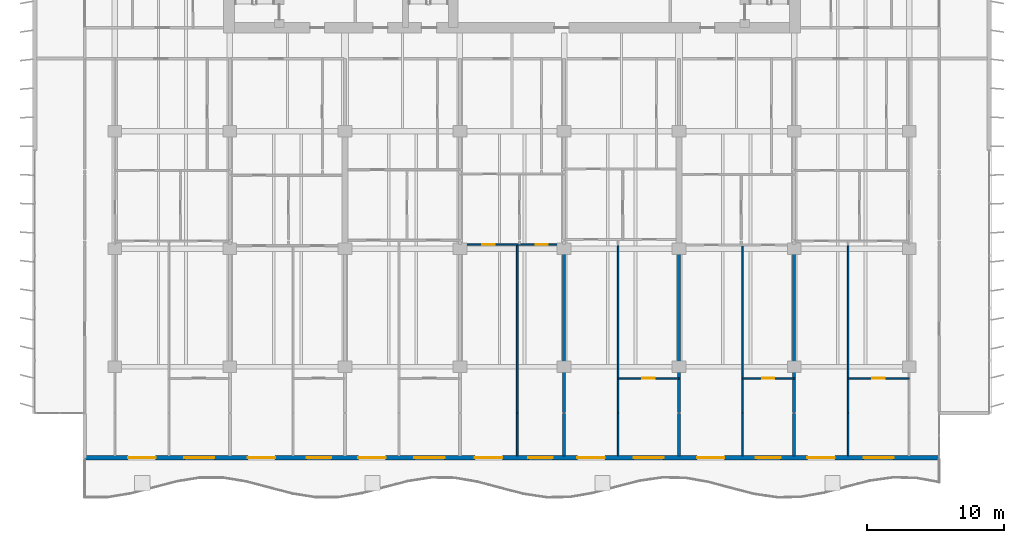
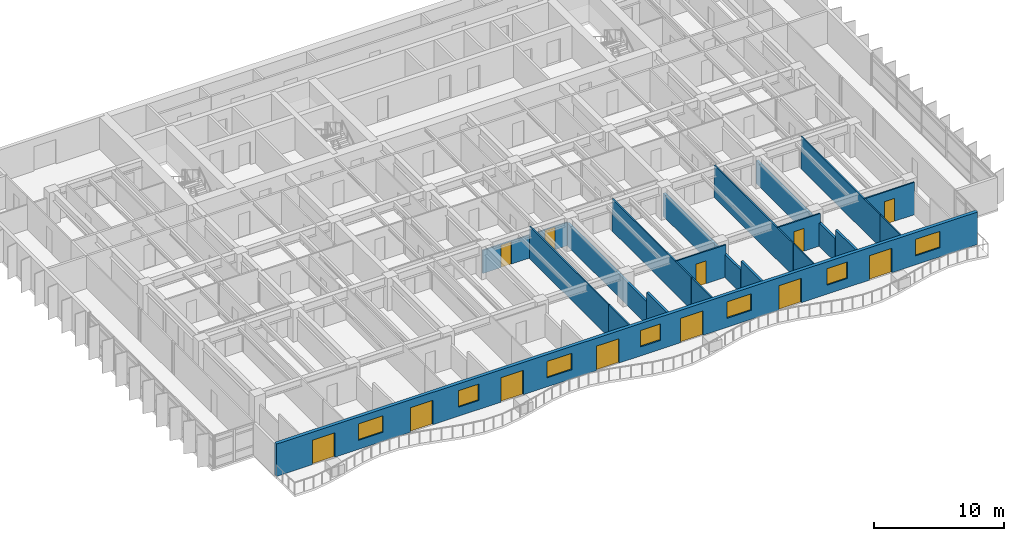
# One storey, part 8 of 18: 19 walls, 12 doors, 7 windows, 19 openings.
"""IFC4 building model written with IfcOpenShell, lengths in metres."""

import ifcopenshell
import ifcopenshell.guid

model = None  # the IFC model being written
_history = None  # IfcOwnerHistory: only IFC2X3 demands one
_inside = {}  # id of a spatial element -> (the spatial element, [elements in it])
_under = {}  # id of a project, library or spatial element -> (it, [spatial elements below it])
_declared = {}  # id of a project -> (the project, [libraries it declares])
_typed = {}  # id of a type object -> (the type object, [elements of that type])
_made_of = {}  # id of a material, layer set ... -> (it, [elements and type objects made of it])


def new_model(schema):
    """Start an empty IFC model of exactly this schema.

    Asked for "IFC4X3", IfcOpenShell would pick the latest addendum, in which some entities
    have other attributes; the version numbers below select the first issue.
    IFC2X3 requires an IfcOwnerHistory on every rooted entity: one is made here for all.
    """
    global model, _history
    if schema == "IFC4X3":
        model = ifcopenshell.file(schema_version=(4, 3, 0, 0))
    else:
        model = ifcopenshell.file(schema=schema)
    _inside.clear()
    _under.clear()
    _declared.clear()
    _typed.clear()
    _made_of.clear()
    _history = None
    if model.schema == "IFC2X3":
        org = make("IfcOrganization", Name="unknown")
        user = make(
            "IfcPersonAndOrganization",
            ThePerson=make("IfcPerson", FamilyName="unknown"),
            TheOrganization=org,
        )
        app = make(
            "IfcApplication",
            ApplicationDeveloper=org,
            Version="unknown",
            ApplicationFullName="unknown",
            ApplicationIdentifier="unknown",
        )
        _history = make(
            "IfcOwnerHistory",
            OwningUser=user,
            OwningApplication=app,
            ChangeAction="ADDED",
            CreationDate=0,
        )
    return model


def make(cls, **values):
    """One entity of the class cls with the attributes given. An attribute that is None is left unset."""
    return model.create_entity(
        cls, **{name: value for name, value in values.items() if value is not None}
    )


def rooted(cls, **values):
    """An entity with a GlobalId (a new one), such as an element, a storey or a relation."""
    return make(cls, GlobalId=ifcopenshell.guid.new(), OwnerHistory=_history, **values)


def si_unit(unit_type, name, prefix=None):
    """IfcSIUnit, for example si_unit("LENGTHUNIT", "METRE", prefix="MILLI")."""
    return make("IfcSIUnit", UnitType=unit_type, Prefix=prefix, Name=name)


def assignment(units):
    """IfcUnitAssignment: the units of a project."""
    return None if units is None else make("IfcUnitAssignment", Units=units)


def point(xyz):
    """IfcCartesianPoint."""
    return None if xyz is None else make("IfcCartesianPoint", Coordinates=xyz)


def direction(xyz):
    """IfcDirection."""
    return None if xyz is None else make("IfcDirection", DirectionRatios=xyz)


def frame(location, z_axis=None, x_axis=None):
    """IfcAxis2Placement3D, a coordinate frame: its origin and axes. An axis left out is left unset."""
    return make(
        "IfcAxis2Placement3D",
        Location=point(location),
        Axis=direction(z_axis),
        RefDirection=direction(x_axis),
    )


def frame_2d(location, x_axis=None):
    """IfcAxis2Placement2D, a coordinate frame in the plane: its origin and x axis."""
    return make(
        "IfcAxis2Placement2D", Location=point(location), RefDirection=direction(x_axis)
    )


def origin():
    """The frame at (0, 0, 0) with its axes left unset."""
    return frame((0.0, 0.0, 0.0))


def place(relative_to, where):
    """IfcLocalPlacement: puts the frame where relative to a parent placement (None: the world)."""
    return make(
        "IfcLocalPlacement", PlacementRelTo=relative_to, RelativePlacement=where
    )


def context(
    kind, dimensions, precision=None, world=None, true_north=None, identifier=None
):
    """IfcGeometricRepresentationContext, for example the 3D "Model" context."""
    return make(
        "IfcGeometricRepresentationContext",
        ContextIdentifier=identifier,
        ContextType=kind,
        CoordinateSpaceDimension=dimensions,
        Precision=precision,
        WorldCoordinateSystem=world,
        TrueNorth=true_north,
    )


def subcontext(parent, identifier, kind, view, scale=None):
    """IfcGeometricRepresentationSubContext, for example "Body" below "Model"."""
    return make(
        "IfcGeometricRepresentationSubContext",
        ContextIdentifier=identifier,
        ContextType=kind,
        ParentContext=parent,
        TargetScale=scale,
        TargetView=view,
    )


def project(units=None, contexts=None):
    """IfcProject with its units and contexts."""
    return rooted(
        "IfcProject",
        Name="project",
        RepresentationContexts=contexts,
        UnitsInContext=assignment(units),
    )


def spatial(cls, under=None, at=None, **own):
    """A site, building, storey or space (cls), placed at a placement, below another one or the project."""
    s = rooted(cls, ObjectPlacement=at, **own)
    if under is not None:
        _under.setdefault(under.id(), (under, []))[1].append(s)
    return s


def profile(cls, at=None, kind="AREA", **sizes):
    """A parametric profile (cls). Its sizes go by their IFC names, for example OverallWidth=200.0."""
    return make(cls, ProfileType=kind, Position=at, **sizes)


def rectangle(**sizes):
    """IfcRectangleProfileDef."""
    return profile("IfcRectangleProfileDef", **sizes)


def extrude(swept, where, along, depth):
    """IfcExtrudedAreaSolid: the profile swept, set in the frame where, extruded along a direction by depth."""
    return make(
        "IfcExtrudedAreaSolid",
        SweptArea=swept,
        Position=where,
        ExtrudedDirection=direction(along),
        Depth=depth,
    )


def shape(context_of_items, identifier, shape_type, items):
    """IfcShapeRepresentation: the items that make up one representation, for example the "Body"."""
    return make(
        "IfcShapeRepresentation",
        ContextOfItems=context_of_items,
        RepresentationIdentifier=identifier,
        RepresentationType=shape_type,
        Items=items,
    )


def material(Name=None, Category=None):
    """IfcMaterial."""
    return make("IfcMaterial", Name=Name, Category=Category)


def layer(
    of_material, thickness, ventilated=None, Name=None, Category=None, Priority=None
):
    """IfcMaterialLayer: one layer of a wall or slab, of a material (None: an air gap)."""
    return make(
        "IfcMaterialLayer",
        Material=of_material,
        LayerThickness=thickness,
        IsVentilated=ventilated,
        Name=Name,
        Category=Category,
        Priority=Priority,
    )


def layer_set(layers, Name=None):
    """IfcMaterialLayerSet."""
    return make("IfcMaterialLayerSet", MaterialLayers=layers, LayerSetName=Name)


def made_of(thing, what):
    """Note that an element or type object is made of a material, layer set ...; save() writes the relation."""
    if what is not None:
        _made_of.setdefault(what.id(), (what, []))[1].append(thing)
    return thing


def type_object(cls, material=None, **own):
    """A type object (cls), such as IfcWallType, which elements share."""
    return made_of(rooted(cls, **own), material)


def element(
    cls,
    number,
    at=None,
    inside=None,
    cuts=None,
    type_object=None,
    material=None,
    context=None,
    identifier="Body",
    shape_type=None,
    held_by="IfcProductDefinitionShape",
    body=None,
    shapes=None,
    **own,
):
    """One element of the class cls, such as IfcWall. Its Tag is "e" and its number.

    at: its placement. inside: the storey or other place that contains it. cuts: it is an
    opening in that element (IfcRelVoidsElement). A single representation is given by context,
    identifier, shape_type and body (its items); several are given by shapes. held_by: the class
    of the entity that holds the representations. save() writes the other relations.
    """
    e = rooted(cls, Tag="e%d" % number, ObjectPlacement=at, **own)
    if body is not None:
        shapes = [shape(context, identifier, shape_type, body)]
    if shapes is not None:
        e.Representation = make(held_by, Representations=shapes)
    if inside is not None:
        _inside.setdefault(inside.id(), (inside, []))[1].append(e)
    if cuts is not None:
        rooted(
            "IfcRelVoidsElement", RelatingBuildingElement=cuts, RelatedOpeningElement=e
        )
    if type_object is not None:
        _typed.setdefault(type_object.id(), (type_object, []))[1].append(e)
    return made_of(e, material)


def fill(opening, filler):
    """IfcRelFillsElement: the door or window that sits in an opening."""
    return rooted(
        "IfcRelFillsElement",
        RelatingOpeningElement=opening,
        RelatedBuildingElement=filler,
    )


def aggregate(whole, parts):
    """IfcRelAggregates: a whole, such as a stair, and the parts it consists of."""
    return rooted("IfcRelAggregates", RelatingObject=whole, RelatedObjects=parts)


def save(model, path):
    """Write the relations noted so far, then the file.

    IfcRelAggregates (storeys below a building ...), IfcRelContainedInSpatialStructure (elements
    in a storey), IfcRelDefinesByType, IfcRelAssociatesMaterial and IfcRelDeclares: one each for
    every whole, place, type object, material and project.
    """
    for whole, parts in _under.values():
        aggregate(whole, parts)
    for where, things in _inside.values():
        rooted(
            "IfcRelContainedInSpatialStructure",
            RelatedElements=things,
            RelatingStructure=where,
        )
    for kind, things in _typed.values():
        rooted("IfcRelDefinesByType", RelatedObjects=things, RelatingType=kind)
    for what, things in _made_of.values():
        rooted("IfcRelAssociatesMaterial", RelatedObjects=things, RelatingMaterial=what)
    for by, libraries in _declared.values():
        rooted("IfcRelDeclares", RelatingContext=by, RelatedDefinitions=libraries)
    model.write(path)


model = new_model("IFC4")

# Units and contexts
model_context = context("Model", 3, precision=1e-05, world=origin(), true_north=direction((0.0, 1.0)))
body_context = subcontext(model_context, "Body", "Model", "MODEL_VIEW")
ifc_project = project(units=[si_unit("LENGTHUNIT", "METRE"), si_unit("AREAUNIT", "SQUARE_METRE"), si_unit("VOLUMEUNIT", "CUBIC_METRE"), si_unit("PLANEANGLEUNIT", "RADIAN"), si_unit("MASSUNIT", "GRAM", prefix="KILO")], contexts=[model_context])

# Site, building, storey
site_placement = place(None, origin())
site = spatial("IfcSite", under=ifc_project, at=site_placement, CompositionType="ELEMENT")
building_placement = place(site_placement, origin())
building = spatial("IfcBuilding", under=site, at=building_placement, Name="Caelmar Bay Residences", CompositionType="ELEMENT")
storey_placement = place(building_placement, frame((0.0, 0.0, 129.0)))
storey = spatial("IfcBuildingStorey", under=building, at=storey_placement, Name="L35", CompositionType="ELEMENT", Elevation=129.0)

# Wall, openings, doors, windows
ifc_material_1 = material(Name="Precast concrete f'c 40 MPa (6,000 psi)", Category="concrete")
ifc_layer_1 = layer(ifc_material_1, 0.300048828125)
ifc_layer_set_1 = layer_set([ifc_layer_1], Name="Precast concrete f'c 40 MPa (6,000 psi)")
wall_type_1 = type_object("IfcWallType", Name="W-EXT-300", PredefinedType="STANDARD", material=ifc_layer_set_1)
wall_1_placement = place(storey_placement, frame((70.10009765625, 5.550048828125, 0.0), z_axis=(0.0, 0.0, 1.0), x_axis=(-1.0, 0.0, 0.0)))
wall_1 = element("IfcWall", 1, at=wall_1_placement, inside=storey, type_object=wall_type_1, Name="L35 South Bayfront Exterior Wall", PredefinedType="STANDARD", context=body_context, shape_type="SweptSolid", body=[
    extrude(rectangle(XDim=62.400146484375, YDim=0.300048828125, at=frame_2d((31.2001953125, 0.0))), origin(), (0.0, 0.0, 1.0), 3.050048828125),
])
opening_1_placement = place(wall_1_placement, frame((57.22607421875, 0.0, 0.0)))
opening_1 = element("IfcOpeningElement", 2, at=opening_1_placement, cuts=wall_1, Name="Opening L35-BD01", PredefinedType="OPENING", context=body_context, shape_type="SweptSolid", body=[
    extrude(rectangle(XDim=2.0, YDim=2.300048828125, at=frame_2d((1.0, 1.14990234375))), frame((0.0, 0.159912109375, 0.0), z_axis=(0.0, -1.0, 0.0), x_axis=(1.0, 0.0, 0.0)), (0.0, 0.0, 1.0), 0.320068359375),
])
opening_2_placement = place(wall_1_placement, frame((52.926025390625, 0.0, 0.85009765625)))
opening_2 = element("IfcOpeningElement", 3, at=opening_2_placement, cuts=wall_1, Name="Opening WN2", PredefinedType="OPENING", context=body_context, shape_type="SweptSolid", body=[
    extrude(rectangle(XDim=2.199951171875, YDim=1.550048828125, at=frame_2d((1.10009765625, 0.77490234375))), frame((0.0, 0.159912109375, 0.0), z_axis=(0.0, -1.0, 0.0), x_axis=(1.0, 0.0, 0.0)), (0.0, 0.0, 1.0), 0.320068359375),
])
opening_3_placement = place(wall_1_placement, frame((48.489990234375, 0.0, 0.0)))
opening_3 = element("IfcOpeningElement", 4, at=opening_3_placement, cuts=wall_1, Name="Opening L35-BD02", PredefinedType="OPENING", context=body_context, shape_type="SweptSolid", body=[
    extrude(rectangle(XDim=2.0, YDim=2.300048828125, at=frame_2d((1.0, 1.14990234375))), frame((0.0, 0.159912109375, 0.0), z_axis=(0.0, -1.0, 0.0), x_axis=(1.0, 0.0, 0.0)), (0.0, 0.0, 1.0), 0.320068359375),
])
opening_4_placement = place(wall_1_placement, frame((44.389892578125, 0.0, 0.85009765625)))
opening_4 = element("IfcOpeningElement", 5, at=opening_4_placement, cuts=wall_1, Name="Opening WN1", PredefinedType="OPENING", context=body_context, shape_type="SweptSolid", body=[
    extrude(rectangle(XDim=1.800048828125, YDim=1.550048828125, at=frame_2d((0.89990234375, 0.77490234375))), frame((0.0, 0.159912109375, 0.0), z_axis=(0.0, -1.0, 0.0), x_axis=(1.0, 0.0, 0.0)), (0.0, 0.0, 1.0), 0.320068359375),
])
opening_5_placement = place(wall_1_placement, frame((40.426025390625, 0.0, 0.0)))
opening_5 = element("IfcOpeningElement", 6, at=opening_5_placement, cuts=wall_1, Name="Opening L35-BD03", PredefinedType="OPENING", context=body_context, shape_type="SweptSolid", body=[
    extrude(rectangle(XDim=2.0, YDim=2.300048828125, at=frame_2d((1.0, 1.14990234375))), frame((0.0, 0.159912109375, 0.0), z_axis=(0.0, -1.0, 0.0), x_axis=(1.0, 0.0, 0.0)), (0.0, 0.0, 1.0), 0.320068359375),
])
opening_6_placement = place(wall_1_placement, frame((36.1259765625, 0.0, 0.85009765625)))
opening_6 = element("IfcOpeningElement", 7, at=opening_6_placement, cuts=wall_1, Name="Opening WN2", PredefinedType="OPENING", context=body_context, shape_type="SweptSolid", body=[
    extrude(rectangle(XDim=2.199951171875, YDim=1.550048828125, at=frame_2d((1.10009765625, 0.77490234375))), frame((0.0, 0.159912109375, 0.0), z_axis=(0.0, -1.0, 0.0), x_axis=(1.0, 0.0, 0.0)), (0.0, 0.0, 1.0), 0.320068359375),
])
opening_7_placement = place(wall_1_placement, frame((31.909912109375, 0.0, 0.0)))
opening_7 = element("IfcOpeningElement", 8, at=opening_7_placement, cuts=wall_1, Name="Opening L35-BD04", PredefinedType="OPENING", context=body_context, shape_type="SweptSolid", body=[
    extrude(rectangle(XDim=2.0, YDim=2.300048828125, at=frame_2d((1.0, 1.14990234375))), frame((0.0, 0.159912109375, 0.0), z_axis=(0.0, -1.0, 0.0), x_axis=(1.0, 0.0, 0.0)), (0.0, 0.0, 1.0), 0.320068359375),
])
opening_8_placement = place(wall_1_placement, frame((28.2099609375, 0.0, 0.85009765625)))
opening_8 = element("IfcOpeningElement", 9, at=opening_8_placement, cuts=wall_1, Name="Opening WN1", PredefinedType="OPENING", context=body_context, shape_type="SweptSolid", body=[
    extrude(rectangle(XDim=1.800048828125, YDim=1.550048828125, at=frame_2d((0.89990234375, 0.77490234375))), frame((0.0, 0.159912109375, 0.0), z_axis=(0.0, -1.0, 0.0), x_axis=(1.0, 0.0, 0.0)), (0.0, 0.0, 1.0), 0.320068359375),
])
opening_9_placement = place(wall_1_placement, frame((24.426025390625, 0.0, 0.0)))
opening_9 = element("IfcOpeningElement", 10, at=opening_9_placement, cuts=wall_1, Name="Opening L35-BD05", PredefinedType="OPENING", context=body_context, shape_type="SweptSolid", body=[
    extrude(rectangle(XDim=2.0, YDim=2.300048828125, at=frame_2d((1.0, 1.14990234375))), frame((0.0, 0.159912109375, 0.0), z_axis=(0.0, -1.0, 0.0), x_axis=(1.0, 0.0, 0.0)), (0.0, 0.0, 1.0), 0.320068359375),
])
opening_10_placement = place(wall_1_placement, frame((20.1259765625, 0.0, 0.85009765625)))
opening_10 = element("IfcOpeningElement", 11, at=opening_10_placement, cuts=wall_1, Name="Opening WN2", PredefinedType="OPENING", context=body_context, shape_type="SweptSolid", body=[
    extrude(rectangle(XDim=2.199951171875, YDim=1.550048828125, at=frame_2d((1.10009765625, 0.77490234375))), frame((0.0, 0.159912109375, 0.0), z_axis=(0.0, -1.0, 0.0), x_axis=(1.0, 0.0, 0.0)), (0.0, 0.0, 1.0), 0.320068359375),
])
opening_11_placement = place(wall_1_placement, frame((15.68994140625, 0.0, 0.0)))
opening_11 = element("IfcOpeningElement", 12, at=opening_11_placement, cuts=wall_1, Name="Opening L35-BD06", PredefinedType="OPENING", context=body_context, shape_type="SweptSolid", body=[
    extrude(rectangle(XDim=2.0, YDim=2.300048828125, at=frame_2d((1.0, 1.14990234375))), frame((0.0, 0.159912109375, 0.0), z_axis=(0.0, -1.0, 0.0), x_axis=(1.0, 0.0, 0.0)), (0.0, 0.0, 1.0), 0.320068359375),
])
opening_12_placement = place(wall_1_placement, frame((11.590087890625, 0.0, 0.85009765625)))
opening_12 = element("IfcOpeningElement", 13, at=opening_12_placement, cuts=wall_1, Name="Opening WN1", PredefinedType="OPENING", context=body_context, shape_type="SweptSolid", body=[
    extrude(rectangle(XDim=1.800048828125, YDim=1.550048828125, at=frame_2d((0.89990234375, 0.77490234375))), frame((0.0, 0.159912109375, 0.0), z_axis=(0.0, -1.0, 0.0), x_axis=(1.0, 0.0, 0.0)), (0.0, 0.0, 1.0), 0.320068359375),
])
opening_13_placement = place(wall_1_placement, frame((7.6259765625, 0.0, 0.0)))
opening_13 = element("IfcOpeningElement", 14, at=opening_13_placement, cuts=wall_1, Name="Opening L35-BD07", PredefinedType="OPENING", context=body_context, shape_type="SweptSolid", body=[
    extrude(rectangle(XDim=2.0, YDim=2.300048828125, at=frame_2d((1.0, 1.14990234375))), frame((0.0, 0.159912109375, 0.0), z_axis=(0.0, -1.0, 0.0), x_axis=(1.0, 0.0, 0.0)), (0.0, 0.0, 1.0), 0.320068359375),
])
opening_14_placement = place(wall_1_placement, frame((3.325927734375, 0.0, 0.85009765625)))
opening_14 = element("IfcOpeningElement", 15, at=opening_14_placement, cuts=wall_1, Name="Opening WN2", PredefinedType="OPENING", context=body_context, shape_type="SweptSolid", body=[
    extrude(rectangle(XDim=2.199951171875, YDim=1.550048828125, at=frame_2d((1.10009765625, 0.77490234375))), frame((0.0, 0.159912109375, 0.0), z_axis=(0.0, -1.0, 0.0), x_axis=(1.0, 0.0, 0.0)), (0.0, 0.0, 1.0), 0.320068359375),
])
ifc_material_2 = material(Name="Anodised bronze thermally broken sliding glass door", Category="glass")
ifc_layer_2 = layer(ifc_material_2, 0.050048828125)
ifc_layer_set_2 = layer_set([ifc_layer_2], Name="Anodised bronze thermally broken sliding glass door")
door_type_1 = type_object("IfcDoorType", Name="D-BAL-2000", OperationType="DOUBLE_DOOR_SLIDING", PredefinedType="DOOR", material=ifc_layer_set_2)
door_1_placement = place(opening_1_placement, origin())
door_1 = element("IfcDoor", 16, at=door_1_placement, inside=storey, type_object=door_type_1, Name="L35 Residence 01 Living Room Balcony Door", OperationType="DOUBLE_DOOR_SLIDING", OverallHeight=2.300048828125, OverallWidth=2.0, PredefinedType="DOOR", context=body_context, shape_type="SweptSolid", body=[
    extrude(rectangle(XDim=2.0, YDim=2.300048828125, at=frame_2d((1.0, 1.14990234375))), frame((0.0, 0.02490234375, 0.0), z_axis=(0.0, -1.0, 0.0), x_axis=(1.0, 0.0, 0.0)), (0.0, 0.0, 1.0), 0.050048828125),
])
fill(opening_1, door_1)
door_2_placement = place(opening_3_placement, origin())
door_2 = element("IfcDoor", 17, at=door_2_placement, inside=storey, type_object=door_type_1, Name="L35 Residence 02 Living Room Balcony Door", OperationType="DOUBLE_DOOR_SLIDING", OverallHeight=2.300048828125, OverallWidth=2.0, PredefinedType="DOOR", context=body_context, shape_type="SweptSolid", body=[
    extrude(rectangle(XDim=2.0, YDim=2.300048828125, at=frame_2d((1.0, 1.14990234375))), frame((0.0, 0.02490234375, 0.0), z_axis=(0.0, -1.0, 0.0), x_axis=(1.0, 0.0, 0.0)), (0.0, 0.0, 1.0), 0.050048828125),
])
fill(opening_3, door_2)
door_3_placement = place(opening_5_placement, origin())
door_3 = element("IfcDoor", 18, at=door_3_placement, inside=storey, type_object=door_type_1, Name="L35 Residence 03 Living Room Balcony Door", OperationType="DOUBLE_DOOR_SLIDING", OverallHeight=2.300048828125, OverallWidth=2.0, PredefinedType="DOOR", context=body_context, shape_type="SweptSolid", body=[
    extrude(rectangle(XDim=2.0, YDim=2.300048828125, at=frame_2d((1.0, 1.14990234375))), frame((0.0, 0.02490234375, 0.0), z_axis=(0.0, -1.0, 0.0), x_axis=(1.0, 0.0, 0.0)), (0.0, 0.0, 1.0), 0.050048828125),
])
fill(opening_5, door_3)
door_4_placement = place(opening_7_placement, origin())
door_4 = element("IfcDoor", 19, at=door_4_placement, inside=storey, type_object=door_type_1, Name="L35 Residence 04 Living Room Balcony Door", OperationType="DOUBLE_DOOR_SLIDING", OverallHeight=2.300048828125, OverallWidth=2.0, PredefinedType="DOOR", context=body_context, shape_type="SweptSolid", body=[
    extrude(rectangle(XDim=2.0, YDim=2.300048828125, at=frame_2d((1.0, 1.14990234375))), frame((0.0, 0.02490234375, 0.0), z_axis=(0.0, -1.0, 0.0), x_axis=(1.0, 0.0, 0.0)), (0.0, 0.0, 1.0), 0.050048828125),
])
fill(opening_7, door_4)
door_5_placement = place(opening_9_placement, origin())
door_5 = element("IfcDoor", 20, at=door_5_placement, inside=storey, type_object=door_type_1, Name="L35 Residence 05 Living Room Balcony Door", OperationType="DOUBLE_DOOR_SLIDING", OverallHeight=2.300048828125, OverallWidth=2.0, PredefinedType="DOOR", context=body_context, shape_type="SweptSolid", body=[
    extrude(rectangle(XDim=2.0, YDim=2.300048828125, at=frame_2d((1.0, 1.14990234375))), frame((0.0, 0.02490234375, 0.0), z_axis=(0.0, -1.0, 0.0), x_axis=(1.0, 0.0, 0.0)), (0.0, 0.0, 1.0), 0.050048828125),
])
fill(opening_9, door_5)
door_6_placement = place(opening_11_placement, origin())
door_6 = element("IfcDoor", 21, at=door_6_placement, inside=storey, type_object=door_type_1, Name="L35 Residence 06 Living Room Balcony Door", OperationType="DOUBLE_DOOR_SLIDING", OverallHeight=2.300048828125, OverallWidth=2.0, PredefinedType="DOOR", context=body_context, shape_type="SweptSolid", body=[
    extrude(rectangle(XDim=2.0, YDim=2.300048828125, at=frame_2d((1.0, 1.14990234375))), frame((0.0, 0.02490234375, 0.0), z_axis=(0.0, -1.0, 0.0), x_axis=(1.0, 0.0, 0.0)), (0.0, 0.0, 1.0), 0.050048828125),
])
fill(opening_11, door_6)
door_7_placement = place(opening_13_placement, origin())
door_7 = element("IfcDoor", 22, at=door_7_placement, inside=storey, type_object=door_type_1, Name="L35 Residence 07 Living Room Balcony Door", OperationType="DOUBLE_DOOR_SLIDING", OverallHeight=2.300048828125, OverallWidth=2.0, PredefinedType="DOOR", context=body_context, shape_type="SweptSolid", body=[
    extrude(rectangle(XDim=2.0, YDim=2.300048828125, at=frame_2d((1.0, 1.14990234375))), frame((0.0, 0.02490234375, 0.0), z_axis=(0.0, -1.0, 0.0), x_axis=(1.0, 0.0, 0.0)), (0.0, 0.0, 1.0), 0.050048828125),
])
fill(opening_13, door_7)
ifc_material_3 = material(Name="Bronze aluminium frame with laminated low-E glass", Category="aluminium")
ifc_layer_3 = layer(ifc_material_3, 0.06005859375)
ifc_layer_set_3 = layer_set([ifc_layer_3], Name="Bronze aluminium frame with laminated low-E glass")
window_type_1 = type_object("IfcWindowType", Name="WIN-BR-1800", PartitioningType="SINGLE_PANEL", PredefinedType="WINDOW", material=ifc_layer_set_3)
window_1_placement = place(opening_4_placement, origin())
window_1 = element("IfcWindow", 23, at=window_1_placement, inside=storey, type_object=window_type_1, Name="L35 Residence 02 Primary Bedroom Window", OverallHeight=1.550048828125, OverallWidth=1.800048828125, PartitioningType="SINGLE_PANEL", PredefinedType="WINDOW", context=body_context, shape_type="SweptSolid", body=[
    extrude(rectangle(XDim=1.800048828125, YDim=1.550048828125, at=frame_2d((0.89990234375, 0.77490234375))), frame((0.0, 0.030029296875, 0.0), z_axis=(0.0, -1.0, 0.0), x_axis=(1.0, 0.0, 0.0)), (0.0, 0.0, 1.0), 0.06005859375),
])
fill(opening_4, window_1)
window_2_placement = place(opening_8_placement, origin())
window_2 = element("IfcWindow", 24, at=window_2_placement, inside=storey, type_object=window_type_1, Name="L35 Residence 04 Primary Bedroom Window", OverallHeight=1.550048828125, OverallWidth=1.800048828125, PartitioningType="SINGLE_PANEL", PredefinedType="WINDOW", context=body_context, shape_type="SweptSolid", body=[
    extrude(rectangle(XDim=1.800048828125, YDim=1.550048828125, at=frame_2d((0.89990234375, 0.77490234375))), frame((0.0, 0.030029296875, 0.0), z_axis=(0.0, -1.0, 0.0), x_axis=(1.0, 0.0, 0.0)), (0.0, 0.0, 1.0), 0.06005859375),
])
fill(opening_8, window_2)
window_3_placement = place(opening_12_placement, origin())
window_3 = element("IfcWindow", 25, at=window_3_placement, inside=storey, type_object=window_type_1, Name="L35 Residence 06 Primary Bedroom Window", OverallHeight=1.550048828125, OverallWidth=1.800048828125, PartitioningType="SINGLE_PANEL", PredefinedType="WINDOW", context=body_context, shape_type="SweptSolid", body=[
    extrude(rectangle(XDim=1.800048828125, YDim=1.550048828125, at=frame_2d((0.89990234375, 0.77490234375))), frame((0.0, 0.030029296875, 0.0), z_axis=(0.0, -1.0, 0.0), x_axis=(1.0, 0.0, 0.0)), (0.0, 0.0, 1.0), 0.06005859375),
])
fill(opening_12, window_3)
ifc_layer_4 = layer(ifc_material_3, 0.06005859375)
ifc_layer_set_4 = layer_set([ifc_layer_4], Name="Bronze aluminium frame with laminated low-E glass")
window_type_2 = type_object("IfcWindowType", Name="WIN-BR-2200", PartitioningType="SINGLE_PANEL", PredefinedType="WINDOW", material=ifc_layer_set_4)
window_4_placement = place(opening_2_placement, origin())
window_4 = element("IfcWindow", 26, at=window_4_placement, inside=storey, type_object=window_type_2, Name="L35 Residence 01 Primary Bedroom Window", OverallHeight=1.550048828125, OverallWidth=2.199951171875, PartitioningType="SINGLE_PANEL", PredefinedType="WINDOW", context=body_context, shape_type="SweptSolid", body=[
    extrude(rectangle(XDim=2.199951171875, YDim=1.550048828125, at=frame_2d((1.10009765625, 0.77490234375))), frame((0.0, 0.030029296875, 0.0), z_axis=(0.0, -1.0, 0.0), x_axis=(1.0, 0.0, 0.0)), (0.0, 0.0, 1.0), 0.06005859375),
])
fill(opening_2, window_4)
window_5_placement = place(opening_6_placement, origin())
window_5 = element("IfcWindow", 27, at=window_5_placement, inside=storey, type_object=window_type_2, Name="L35 Residence 03 Primary Bedroom Window", OverallHeight=1.550048828125, OverallWidth=2.199951171875, PartitioningType="SINGLE_PANEL", PredefinedType="WINDOW", context=body_context, shape_type="SweptSolid", body=[
    extrude(rectangle(XDim=2.199951171875, YDim=1.550048828125, at=frame_2d((1.10009765625, 0.77490234375))), frame((0.0, 0.030029296875, 0.0), z_axis=(0.0, -1.0, 0.0), x_axis=(1.0, 0.0, 0.0)), (0.0, 0.0, 1.0), 0.06005859375),
])
fill(opening_6, window_5)
window_6_placement = place(opening_10_placement, origin())
window_6 = element("IfcWindow", 28, at=window_6_placement, inside=storey, type_object=window_type_2, Name="L35 Residence 05 Primary Bedroom Window", OverallHeight=1.550048828125, OverallWidth=2.199951171875, PartitioningType="SINGLE_PANEL", PredefinedType="WINDOW", context=body_context, shape_type="SweptSolid", body=[
    extrude(rectangle(XDim=2.199951171875, YDim=1.550048828125, at=frame_2d((1.10009765625, 0.77490234375))), frame((0.0, 0.030029296875, 0.0), z_axis=(0.0, -1.0, 0.0), x_axis=(1.0, 0.0, 0.0)), (0.0, 0.0, 1.0), 0.06005859375),
])
fill(opening_10, window_6)
window_7_placement = place(opening_14_placement, origin())
window_7 = element("IfcWindow", 29, at=window_7_placement, inside=storey, type_object=window_type_2, Name="L35 Residence 07 Primary Bedroom Window", OverallHeight=1.550048828125, OverallWidth=2.199951171875, PartitioningType="SINGLE_PANEL", PredefinedType="WINDOW", context=body_context, shape_type="SweptSolid", body=[
    extrude(rectangle(XDim=2.199951171875, YDim=1.550048828125, at=frame_2d((1.10009765625, 0.77490234375))), frame((0.0, 0.030029296875, 0.0), z_axis=(0.0, -1.0, 0.0), x_axis=(1.0, 0.0, 0.0)), (0.0, 0.0, 1.0), 0.06005859375),
])
fill(opening_14, window_7)

# Walls
ifc_material_4 = material(Name="Acoustic metal-stud gypsum partition 120 mm")
ifc_layer_5 = layer(ifc_material_4, 0.1201171875)
ifc_layer_set_5 = layer_set([ifc_layer_5], Name="Acoustic metal-stud gypsum partition 120 mm")
wall_type_2 = type_object("IfcWallType", Name="W-PRT-120", PredefinedType="PARTITIONING", material=ifc_layer_set_5)
wall_2_placement = place(storey_placement, frame((39.280029296875, 5.695068359375, 0.0), z_axis=(0.0, 0.0, 1.0), x_axis=(0.0, 1.0, 0.0)))
element("IfcWall", 30, at=wall_2_placement, inside=storey, type_object=wall_type_2, Name="L35 Partition Wall V057", PredefinedType="PARTITIONING", context=body_context, shape_type="SweptSolid", body=[
    extrude(rectangle(XDim=3.10498046875, YDim=0.1201171875, at=frame_2d((1.552490234375, 0.0))), origin(), (0.0, 0.0, 1.0), 3.050048828125),
])
wall_3_placement = place(storey_placement, frame((39.280029296875, 8.840087890625, 0.0), z_axis=(0.0, 0.0, 1.0), x_axis=(0.0, 1.0, 0.0)))
element("IfcWall", 31, at=wall_3_placement, inside=storey, type_object=wall_type_2, Name="L35 Partition Wall V058", PredefinedType="PARTITIONING", context=body_context, shape_type="SweptSolid", body=[
    extrude(rectangle(XDim=12.18994140625, YDim=0.1201171875, at=frame_2d((6.094970703125, 0.0))), origin(), (0.0, 0.0, 1.0), 3.050048828125),
])
wall_4_placement = place(storey_placement, frame((46.64794921875, 5.695068359375, 0.0), z_axis=(0.0, 0.0, 1.0), x_axis=(0.0, 1.0, 0.0)))
element("IfcWall", 32, at=wall_4_placement, inside=storey, type_object=wall_type_2, Name="L35 Partition Wall V072", PredefinedType="PARTITIONING", context=body_context, shape_type="SweptSolid", body=[
    extrude(rectangle(XDim=3.10498046875, YDim=0.1201171875, at=frame_2d((1.552490234375, 0.0))), origin(), (0.0, 0.0, 1.0), 3.050048828125),
])
wall_5_placement = place(storey_placement, frame((46.64794921875, 8.840087890625, 0.0), z_axis=(0.0, 0.0, 1.0), x_axis=(0.0, 1.0, 0.0)))
element("IfcWall", 33, at=wall_5_placement, inside=storey, type_object=wall_type_2, Name="L35 Partition Wall V073", PredefinedType="PARTITIONING", context=body_context, shape_type="SweptSolid", body=[
    extrude(rectangle(XDim=12.18994140625, YDim=0.1201171875, at=frame_2d((6.094970703125, 0.0))), origin(), (0.0, 0.0, 1.0), 3.050048828125),
])
wall_6_placement = place(storey_placement, frame((55.719970703125, 5.695068359375, 0.0), z_axis=(0.0, 0.0, 1.0), x_axis=(0.0, 1.0, 0.0)))
element("IfcWall", 34, at=wall_6_placement, inside=storey, type_object=wall_type_2, Name="L35 Partition Wall V088", PredefinedType="PARTITIONING", context=body_context, shape_type="SweptSolid", body=[
    extrude(rectangle(XDim=3.10498046875, YDim=0.1201171875, at=frame_2d((1.552490234375, 0.0))), origin(), (0.0, 0.0, 1.0), 3.050048828125),
])
wall_7_placement = place(storey_placement, frame((55.719970703125, 8.840087890625, 0.0), z_axis=(0.0, 0.0, 1.0), x_axis=(0.0, 1.0, 0.0)))
element("IfcWall", 35, at=wall_7_placement, inside=storey, type_object=wall_type_2, Name="L35 Partition Wall V089", PredefinedType="PARTITIONING", context=body_context, shape_type="SweptSolid", body=[
    extrude(rectangle(XDim=12.18994140625, YDim=0.1201171875, at=frame_2d((6.094970703125, 0.0))), origin(), (0.0, 0.0, 1.0), 3.050048828125),
])
wall_8_placement = place(storey_placement, frame((63.447998046875, 5.695068359375, 0.0), z_axis=(0.0, 0.0, 1.0), x_axis=(0.0, 1.0, 0.0)))
element("IfcWall", 36, at=wall_8_placement, inside=storey, type_object=wall_type_2, Name="L35 Partition Wall V100", PredefinedType="PARTITIONING", context=body_context, shape_type="SweptSolid", body=[
    extrude(rectangle(XDim=3.10498046875, YDim=0.1201171875, at=frame_2d((1.552490234375, 0.0))), origin(), (0.0, 0.0, 1.0), 3.050048828125),
])
wall_9_placement = place(storey_placement, frame((63.447998046875, 8.840087890625, 0.0), z_axis=(0.0, 0.0, 1.0), x_axis=(0.0, 1.0, 0.0)))
element("IfcWall", 37, at=wall_9_placement, inside=storey, type_object=wall_type_2, Name="L35 Partition Wall V101", PredefinedType="PARTITIONING", context=body_context, shape_type="SweptSolid", body=[
    extrude(rectangle(XDim=12.18994140625, YDim=0.1201171875, at=frame_2d((6.094970703125, 0.0))), origin(), (0.0, 0.0, 1.0), 3.050048828125),
])

# Wall, opening, door
wall_10_placement = place(storey_placement, frame((46.64794921875, 11.35009765625, 0.0), z_axis=(0.0, 0.0, 1.0), x_axis=(1.0, 0.0, 0.0)))
wall_10 = element("IfcWall", 38, at=wall_10_placement, inside=storey, type_object=wall_type_2, Name="L35 Partition Wall H124", PredefinedType="PARTITIONING", context=body_context, shape_type="SweptSolid", body=[
    extrude(rectangle(XDim=4.4521484375, YDim=0.1201171875, at=frame_2d((2.22607421875, 0.0))), origin(), (0.0, 0.0, 1.0), 3.050048828125),
])
opening_15_placement = place(wall_10_placement, frame((1.77587890625, 0.0, 0.0)))
opening_15 = element("IfcOpeningElement", 39, at=opening_15_placement, cuts=wall_10, Name="Opening D-L35-157", PredefinedType="OPENING", context=body_context, shape_type="SweptSolid", body=[
    extrude(rectangle(XDim=0.89990234375, YDim=2.14990234375, at=frame_2d((0.449951171875, 1.074951171875))), frame((0.0, 0.070068359375, 0.0), z_axis=(0.0, -1.0, 0.0), x_axis=(1.0, 0.0, 0.0)), (0.0, 0.0, 1.0), 0.14013671875),
])
ifc_material_5 = material(Name="Solid walnut timber interior door leaf and frame", Category="wood")
ifc_layer_6 = layer(ifc_material_5, 0.050048828125)
ifc_layer_set_6 = layer_set([ifc_layer_6], Name="Solid walnut timber interior door leaf and frame")
door_type_2 = type_object("IfcDoorType", Name="D-ROOM-900", OperationType="NOTDEFINED", PredefinedType="DOOR", material=ifc_layer_set_6)
door_8_placement = place(opening_15_placement, origin())
door_8 = element("IfcDoor", 40, at=door_8_placement, inside=storey, type_object=door_type_2, Name="L35 Residence 05 Primary Bedroom Door", OperationType="SINGLE_SWING_RIGHT", OverallHeight=2.14990234375, OverallWidth=0.89990234375, PredefinedType="DOOR", context=body_context, shape_type="SweptSolid", body=[
    extrude(rectangle(XDim=0.89990234375, YDim=2.14990234375, at=frame_2d((0.449951171875, 1.074951171875))), frame((0.0, 0.02490234375, 0.0), z_axis=(0.0, -1.0, 0.0), x_axis=(1.0, 0.0, 0.0)), (0.0, 0.0, 1.0), 0.050048828125),
])
fill(opening_15, door_8)

wall_11_placement = place(storey_placement, frame((55.719970703125, 11.35009765625, 0.0), z_axis=(0.0, 0.0, 1.0), x_axis=(1.0, 0.0, 0.0)))
wall_11 = element("IfcWall", 41, at=wall_11_placement, inside=storey, type_object=wall_type_2, Name="L35 Partition Wall H125", PredefinedType="PARTITIONING", context=body_context, shape_type="SweptSolid", body=[
    extrude(rectangle(XDim=3.780029296875, YDim=0.1201171875, at=frame_2d((1.89013671875, 0.0))), origin(), (0.0, 0.0, 1.0), 3.050048828125),
])
opening_16_placement = place(wall_11_placement, frame((1.43994140625, 0.0, 0.0)))
opening_16 = element("IfcOpeningElement", 42, at=opening_16_placement, cuts=wall_11, Name="Opening D-L35-164", PredefinedType="OPENING", context=body_context, shape_type="SweptSolid", body=[
    extrude(rectangle(XDim=0.89990234375, YDim=2.14990234375, at=frame_2d((0.449951171875, 1.074951171875))), frame((0.0, 0.070068359375, 0.0), z_axis=(0.0, -1.0, 0.0), x_axis=(1.0, 0.0, 0.0)), (0.0, 0.0, 1.0), 0.14013671875),
])
door_9_placement = place(opening_16_placement, origin())
door_9 = element("IfcDoor", 43, at=door_9_placement, inside=storey, type_object=door_type_2, Name="L35 Residence 06 Primary Bedroom Door", OperationType="SINGLE_SWING_LEFT", OverallHeight=2.14990234375, OverallWidth=0.89990234375, PredefinedType="DOOR", context=body_context, shape_type="SweptSolid", body=[
    extrude(rectangle(XDim=0.89990234375, YDim=2.14990234375, at=frame_2d((0.449951171875, 1.074951171875))), frame((0.0, 0.02490234375, 0.0), z_axis=(0.0, -1.0, 0.0), x_axis=(1.0, 0.0, 0.0)), (0.0, 0.0, 1.0), 0.050048828125),
])
fill(opening_16, door_9)

wall_12_placement = place(storey_placement, frame((63.447998046875, 11.35009765625, 0.0), z_axis=(0.0, 0.0, 1.0), x_axis=(1.0, 0.0, 0.0)))
wall_12 = element("IfcWall", 44, at=wall_12_placement, inside=storey, type_object=wall_type_2, Name="L35 Partition Wall H126", PredefinedType="PARTITIONING", context=body_context, shape_type="SweptSolid", body=[
    extrude(rectangle(XDim=4.451904296875, YDim=0.1201171875, at=frame_2d((2.22607421875, 0.0))), origin(), (0.0, 0.0, 1.0), 3.050048828125),
])
opening_17_placement = place(wall_12_placement, frame((1.77587890625, 0.0, 0.0)))
opening_17 = element("IfcOpeningElement", 45, at=opening_17_placement, cuts=wall_12, Name="Opening D-L35-171", PredefinedType="OPENING", context=body_context, shape_type="SweptSolid", body=[
    extrude(rectangle(XDim=0.89990234375, YDim=2.14990234375, at=frame_2d((0.449951171875, 1.074951171875))), frame((0.0, 0.070068359375, 0.0), z_axis=(0.0, -1.0, 0.0), x_axis=(1.0, 0.0, 0.0)), (0.0, 0.0, 1.0), 0.14013671875),
])
door_10_placement = place(opening_17_placement, origin())
door_10 = element("IfcDoor", 46, at=door_10_placement, inside=storey, type_object=door_type_2, Name="L35 Residence 07 Primary Bedroom Door", OperationType="SINGLE_SWING_RIGHT", OverallHeight=2.14990234375, OverallWidth=0.89990234375, PredefinedType="DOOR", context=body_context, shape_type="SweptSolid", body=[
    extrude(rectangle(XDim=0.89990234375, YDim=2.14990234375, at=frame_2d((0.449951171875, 1.074951171875))), frame((0.0, 0.02490234375, 0.0), z_axis=(0.0, -1.0, 0.0), x_axis=(1.0, 0.0, 0.0)), (0.0, 0.0, 1.0), 0.050048828125),
])
fill(opening_17, door_10)

# Wall, openings, doors
wall_13_placement = place(storey_placement, frame((35.10009765625, 21.1298828125, 0.0), z_axis=(0.0, 0.0, 1.0), x_axis=(1.0, 0.0, 0.0)))
wall_13 = element("IfcWall", 47, at=wall_13_placement, inside=storey, type_object=wall_type_2, Name="L35 Partition Wall H129", PredefinedType="PARTITIONING", context=body_context, shape_type="SweptSolid", body=[
    extrude(rectangle(XDim=7.599853515625, YDim=0.1201171875, at=frame_2d((3.7998046875, 0.0))), origin(), (0.0, 0.0, 1.0), 2.174072265625),
])
opening_18_placement = place(wall_13_placement, frame((1.639892578125, 0.0, 0.0)))
opening_18 = element("IfcOpeningElement", 48, at=opening_18_placement, cuts=wall_13, Name="Opening D-L35-149", PredefinedType="OPENING", context=body_context, shape_type="SweptSolid", body=[
    extrude(rectangle(XDim=0.89990234375, YDim=2.1240234375, at=frame_2d((0.449951171875, 1.06201171875))), frame((0.0, 0.070068359375, 0.0), z_axis=(0.0, -1.0, 0.0), x_axis=(1.0, 0.0, 0.0)), (0.0, 0.0, 1.0), 0.14013671875),
])
opening_19_placement = place(wall_13_placement, frame((5.527099609375, 0.0, 0.0)))
opening_19 = element("IfcOpeningElement", 49, at=opening_19_placement, cuts=wall_13, Name="Opening D-L35-150", PredefinedType="OPENING", context=body_context, shape_type="SweptSolid", body=[
    extrude(rectangle(XDim=0.89990234375, YDim=2.1240234375, at=frame_2d((0.449951171875, 1.06201171875))), frame((0.0, 0.070068359375, 0.0), z_axis=(0.0, -1.0, 0.0), x_axis=(1.0, 0.0, 0.0)), (0.0, 0.0, 1.0), 0.14013671875),
])
door_11_placement = place(opening_18_placement, origin())
door_11 = element("IfcDoor", 50, at=door_11_placement, inside=storey, type_object=door_type_2, Name="L35 Residence 04 Living Room Door", OperationType="SINGLE_SWING_RIGHT", OverallHeight=2.1240234375, OverallWidth=0.89990234375, PredefinedType="DOOR", context=body_context, shape_type="SweptSolid", body=[
    extrude(rectangle(XDim=0.89990234375, YDim=2.1240234375, at=frame_2d((0.449951171875, 1.06201171875))), frame((0.0, 0.02490234375, 0.0), z_axis=(0.0, -1.0, 0.0), x_axis=(1.0, 0.0, 0.0)), (0.0, 0.0, 1.0), 0.050048828125),
])
fill(opening_18, door_11)
door_12_placement = place(opening_19_placement, origin())
door_12 = element("IfcDoor", 51, at=door_12_placement, inside=storey, type_object=door_type_2, Name="L35 Residence 04 Primary Bedroom Door", OperationType="SINGLE_SWING_LEFT", OverallHeight=2.1240234375, OverallWidth=0.89990234375, PredefinedType="DOOR", context=body_context, shape_type="SweptSolid", body=[
    extrude(rectangle(XDim=0.89990234375, YDim=2.1240234375, at=frame_2d((0.449951171875, 1.06201171875))), frame((0.0, 0.02490234375, 0.0), z_axis=(0.0, -1.0, 0.0), x_axis=(1.0, 0.0, 0.0)), (0.0, 0.0, 1.0), 0.050048828125),
])
fill(opening_19, door_12)

# Walls
ifc_material_6 = material(Name="Acoustic twin-stud fire-rated inter-tenancy partition 200 mm")
ifc_layer_7 = layer(ifc_material_6, 0.199951171875)
ifc_layer_set_7 = layer_set([ifc_layer_7], Name="Acoustic twin-stud fire-rated inter-tenancy partition 200 mm")
wall_type_3 = type_object("IfcWallType", Name="W-PTY-200", PredefinedType="PARTITIONING", material=ifc_layer_set_7)
wall_14_placement = place(storey_placement, frame((42.699951171875, 5.695068359375, 0.0), z_axis=(0.0, 0.0, 1.0), x_axis=(0.0, 1.0, 0.0)))
element("IfcWall", 52, at=wall_14_placement, inside=storey, type_object=wall_type_3, Name="L35 Partition Wall V063", PredefinedType="PARTITIONING", context=body_context, shape_type="SweptSolid", body=[
    extrude(rectangle(XDim=3.10498046875, YDim=0.199951171875, at=frame_2d((1.552490234375, 0.0))), origin(), (0.0, 0.0, 1.0), 3.050048828125),
])
wall_15_placement = place(storey_placement, frame((42.699951171875, 8.840087890625, 0.0), z_axis=(0.0, 0.0, 1.0), x_axis=(0.0, 1.0, 0.0)))
element("IfcWall", 53, at=wall_15_placement, inside=storey, type_object=wall_type_3, Name="L35 Partition Wall V064", PredefinedType="PARTITIONING", context=body_context, shape_type="SweptSolid", body=[
    extrude(rectangle(XDim=12.18994140625, YDim=0.199951171875, at=frame_2d((6.094970703125, 0.0))), origin(), (0.0, 0.0, 1.0), 2.174072265625),
])
wall_16_placement = place(storey_placement, frame((51.10009765625, 5.695068359375, 0.0), z_axis=(0.0, 0.0, 1.0), x_axis=(0.0, 1.0, 0.0)))
element("IfcWall", 54, at=wall_16_placement, inside=storey, type_object=wall_type_3, Name="L35 Partition Wall V081", PredefinedType="PARTITIONING", context=body_context, shape_type="SweptSolid", body=[
    extrude(rectangle(XDim=3.10498046875, YDim=0.199951171875, at=frame_2d((1.552490234375, 0.0))), origin(), (0.0, 0.0, 1.0), 3.050048828125),
])
wall_17_placement = place(storey_placement, frame((51.10009765625, 8.840087890625, 0.0), z_axis=(0.0, 0.0, 1.0), x_axis=(0.0, 1.0, 0.0)))
element("IfcWall", 55, at=wall_17_placement, inside=storey, type_object=wall_type_3, Name="L35 Partition Wall V082", PredefinedType="PARTITIONING", context=body_context, shape_type="SweptSolid", body=[
    extrude(rectangle(XDim=11.954833984375, YDim=0.199951171875, at=frame_2d((5.9775390625, 0.0))), origin(), (0.0, 0.0, 1.0), 2.174072265625),
])
wall_18_placement = place(storey_placement, frame((59.5, 5.695068359375, 0.0), z_axis=(0.0, 0.0, 1.0), x_axis=(0.0, 1.0, 0.0)))
element("IfcWall", 56, at=wall_18_placement, inside=storey, type_object=wall_type_3, Name="L35 Partition Wall V093", PredefinedType="PARTITIONING", context=body_context, shape_type="SweptSolid", body=[
    extrude(rectangle(XDim=3.10498046875, YDim=0.199951171875, at=frame_2d((1.552490234375, 0.0))), origin(), (0.0, 0.0, 1.0), 3.050048828125),
])
wall_19_placement = place(storey_placement, frame((59.5, 8.840087890625, 0.0), z_axis=(0.0, 0.0, 1.0), x_axis=(0.0, 1.0, 0.0)))
element("IfcWall", 57, at=wall_19_placement, inside=storey, type_object=wall_type_3, Name="L35 Partition Wall V094", PredefinedType="PARTITIONING", context=body_context, shape_type="SweptSolid", body=[
    extrude(rectangle(XDim=12.18994140625, YDim=0.199951171875, at=frame_2d((6.094970703125, 0.0))), origin(), (0.0, 0.0, 1.0), 2.174072265625),
])

save(model, "model.ifc")
